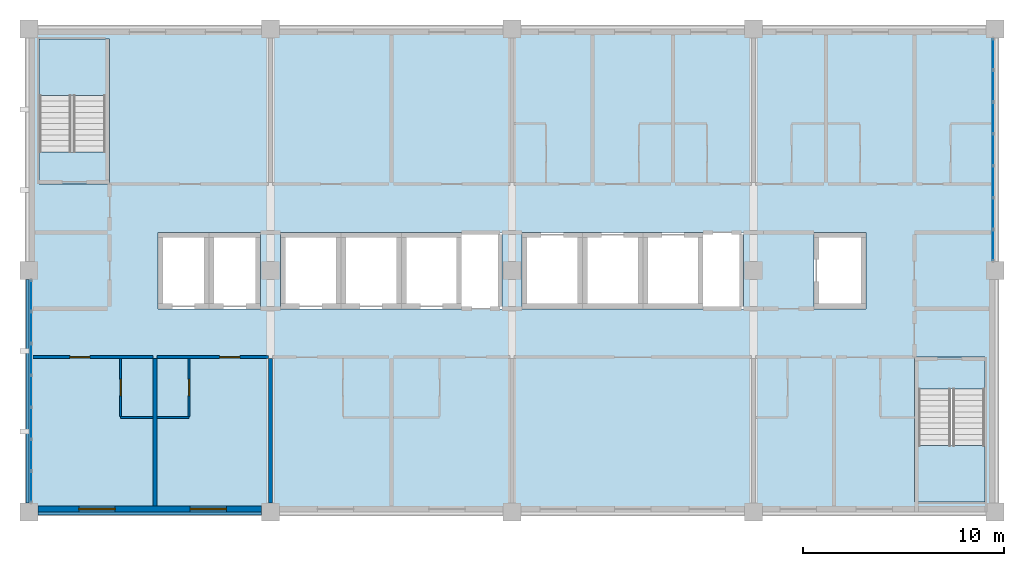
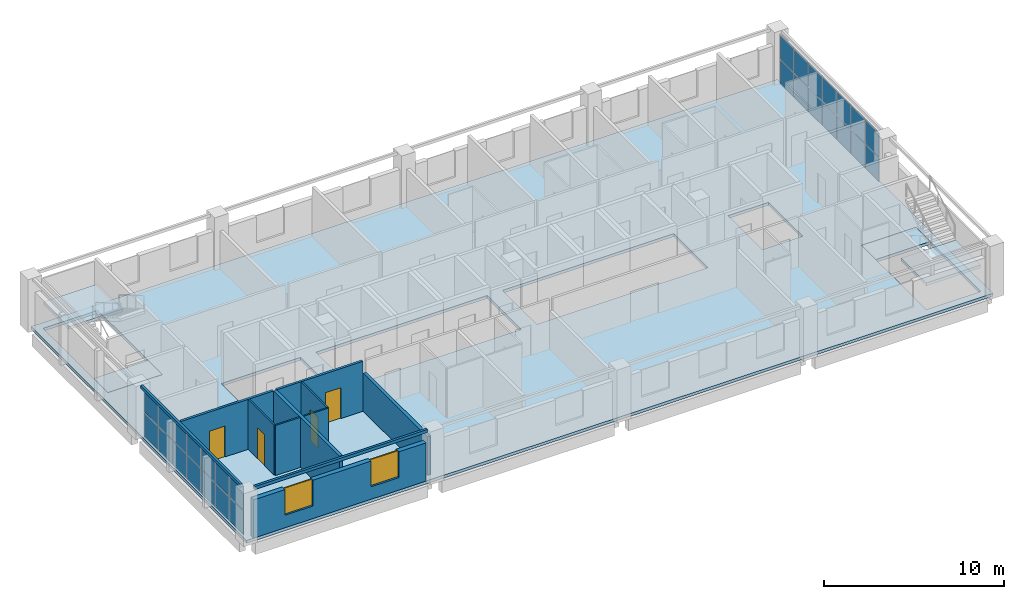
# One storey, part 5 of 11: 28 plates, 11 walls, 5 slabs, 4 doors, 2 windows, 6 openings, 4 elements without a shape of their own.
"""IFC4 building model written with IfcOpenShell, lengths in metres."""

from ifc_helpers import new_model, si_unit, direction, frame, frame_2d, origin, origin_2d, place, context, subcontext, project, spatial, polyline, rectangle, outline, extrude, material, layer, layer_set, type_object, element, fill, aggregate, save


model = new_model("IFC4")

# Units and contexts
model_context = context("Model", 3, precision=1e-05, world=origin(), true_north=direction((0.0, 1.0)))
body_context = subcontext(model_context, "Body", "Model", "MODEL_VIEW")
ifc_project = project(units=[si_unit("LENGTHUNIT", "METRE"), si_unit("AREAUNIT", "SQUARE_METRE"), si_unit("VOLUMEUNIT", "CUBIC_METRE"), si_unit("PLANEANGLEUNIT", "RADIAN"), si_unit("MASSUNIT", "GRAM", prefix="KILO")], contexts=[model_context])

# Site, building, storey
site_placement = place(None, origin())
site = spatial("IfcSite", under=ifc_project, at=site_placement, CompositionType="ELEMENT")
building_placement = place(site_placement, origin())
building = spatial("IfcBuilding", under=site, at=building_placement, Name="Lilac Gate Convention Centre", CompositionType="ELEMENT")
storey_placement = place(building_placement, frame((0.0, 0.0, 31.800048828125)))
storey = spatial("IfcBuildingStorey", under=building, at=storey_placement, Name="L07", CompositionType="ELEMENT", Elevation=31.800048828125)

# Curtain wall, plates
ifc_material_1 = material(Name="Aluminium framed double glazing", Category="aluminium")
ifc_layer_1 = layer(ifc_material_1, 0.199951171875)
ifc_layer_set_1 = layer_set([ifc_layer_1], Name="Aluminium framed double glazing")
curtain_wall_type = type_object("IfcCurtainWallType", Name="Unitised curtain wall 1500", PredefinedType="NOTDEFINED", material=ifc_layer_set_1)
curtain_wall_1_placement = place(storey_placement, origin())
curtain_wall_1 = element("IfcCurtainWall", 1, at=curtain_wall_1_placement, inside=storey, type_object=curtain_wall_type, Name="Curtain wall E L07 2", PredefinedType="NOTDEFINED")
ifc_material_2 = material(Name="Double glazed unit low emissivity")
ifc_layer_2 = layer(ifc_material_2, 0.028076171875)
ifc_layer_set_2 = layer_set([ifc_layer_2], Name="Double glazed unit low emissivity")
plate_type_1 = type_object("IfcPlateType", Name="Curtain wall glass panel 28", PredefinedType="CURTAIN_PANEL", material=ifc_layer_set_2)
plate_1_placement = place(storey_placement, frame((89.89990234375, 235.2578125, 1.72998046875), z_axis=(0.0, 0.0, 1.0), x_axis=(0.0, 1.0, 0.0)))
plate_1 = element("IfcPlate", 2, at=plate_1_placement, type_object=plate_type_1, Name="CW panel 1.2", PredefinedType="CURTAIN_PANEL", context=body_context, shape_type="SweptSolid", body=[
    extrude(rectangle(XDim=1.495849609375, YDim=0.028076171875, at=origin_2d()), origin(), (0.0, 0.0, 1.0), 1.60986328125),
])
plate_2_placement = place(storey_placement, frame((89.89990234375, 236.82861328125, 1.72998046875), z_axis=(0.0, 0.0, 1.0), x_axis=(0.0, 1.0, 0.0)))
plate_2 = element("IfcPlate", 3, at=plate_2_placement, type_object=plate_type_1, Name="CW panel 2.2", PredefinedType="CURTAIN_PANEL", context=body_context, shape_type="SweptSolid", body=[
    extrude(rectangle(XDim=1.525634765625, YDim=0.028076171875, at=origin_2d()), origin(), (0.0, 0.0, 1.0), 1.60986328125),
])
plate_3_placement = place(storey_placement, frame((89.89990234375, 238.414306640625, 1.72998046875), z_axis=(0.0, 0.0, 1.0), x_axis=(0.0, 1.0, 0.0)))
plate_3 = element("IfcPlate", 4, at=plate_3_placement, type_object=plate_type_1, Name="CW panel 3.2", PredefinedType="CURTAIN_PANEL", context=body_context, shape_type="SweptSolid", body=[
    extrude(rectangle(XDim=1.525634765625, YDim=0.028076171875, at=origin_2d()), origin(), (0.0, 0.0, 1.0), 1.60986328125),
])
plate_4_placement = place(storey_placement, frame((89.89990234375, 240.0, 1.72998046875), z_axis=(0.0, 0.0, 1.0), x_axis=(0.0, 1.0, 0.0)))
plate_4 = element("IfcPlate", 5, at=plate_4_placement, type_object=plate_type_1, Name="CW panel 4.2", PredefinedType="CURTAIN_PANEL", context=body_context, shape_type="SweptSolid", body=[
    extrude(rectangle(XDim=1.525634765625, YDim=0.028076171875, at=origin_2d()), origin(), (0.0, 0.0, 1.0), 1.60986328125),
])
plate_5_placement = place(storey_placement, frame((89.89990234375, 241.585693359375, 1.72998046875), z_axis=(0.0, 0.0, 1.0), x_axis=(0.0, 1.0, 0.0)))
plate_5 = element("IfcPlate", 6, at=plate_5_placement, type_object=plate_type_1, Name="CW panel 5.2", PredefinedType="CURTAIN_PANEL", context=body_context, shape_type="SweptSolid", body=[
    extrude(rectangle(XDim=1.525634765625, YDim=0.028076171875, at=origin_2d()), origin(), (0.0, 0.0, 1.0), 1.60986328125),
])
plate_6_placement = place(storey_placement, frame((89.89990234375, 243.17138671875, 1.72998046875), z_axis=(0.0, 0.0, 1.0), x_axis=(0.0, 1.0, 0.0)))
plate_6 = element("IfcPlate", 7, at=plate_6_placement, type_object=plate_type_1, Name="CW panel 6.2", PredefinedType="CURTAIN_PANEL", context=body_context, shape_type="SweptSolid", body=[
    extrude(rectangle(XDim=1.525634765625, YDim=0.028076171875, at=origin_2d()), origin(), (0.0, 0.0, 1.0), 1.60986328125),
])
plate_7_placement = place(storey_placement, frame((89.89990234375, 244.7421875, 1.72998046875), z_axis=(0.0, 0.0, 1.0), x_axis=(0.0, 1.0, 0.0)))
plate_7 = element("IfcPlate", 8, at=plate_7_placement, type_object=plate_type_1, Name="CW panel 7.2", PredefinedType="CURTAIN_PANEL", context=body_context, shape_type="SweptSolid", body=[
    extrude(rectangle(XDim=1.495849609375, YDim=0.028076171875, at=origin_2d()), origin(), (0.0, 0.0, 1.0), 1.60986328125),
])

curtain_wall_2_placement = place(storey_placement, origin())
curtain_wall_2 = element("IfcCurtainWall", 9, at=curtain_wall_2_placement, inside=storey, type_object=curtain_wall_type, Name="Curtain wall W L07 2", PredefinedType="NOTDEFINED")
plate_8_placement = place(storey_placement, frame((42.10009765625, 232.7421875, 1.72998046875), z_axis=(0.0, 0.0, 1.0), x_axis=(0.0, -1.0, 0.0)))
plate_8 = element("IfcPlate", 10, at=plate_8_placement, type_object=plate_type_1, Name="CW panel 1.2", PredefinedType="CURTAIN_PANEL", context=body_context, shape_type="SweptSolid", body=[
    extrude(rectangle(XDim=1.495849609375, YDim=0.028076171875, at=origin_2d()), origin(), (0.0, 0.0, 1.0), 1.60986328125),
])
plate_9_placement = place(storey_placement, frame((42.10009765625, 231.17138671875, 1.72998046875), z_axis=(0.0, 0.0, 1.0), x_axis=(0.0, -1.0, 0.0)))
plate_9 = element("IfcPlate", 11, at=plate_9_placement, type_object=plate_type_1, Name="CW panel 2.2", PredefinedType="CURTAIN_PANEL", context=body_context, shape_type="SweptSolid", body=[
    extrude(rectangle(XDim=1.525634765625, YDim=0.028076171875, at=origin_2d()), origin(), (0.0, 0.0, 1.0), 1.60986328125),
])
plate_10_placement = place(storey_placement, frame((42.10009765625, 229.585693359375, 1.72998046875), z_axis=(0.0, 0.0, 1.0), x_axis=(0.0, -1.0, 0.0)))
plate_10 = element("IfcPlate", 12, at=plate_10_placement, type_object=plate_type_1, Name="CW panel 3.2", PredefinedType="CURTAIN_PANEL", context=body_context, shape_type="SweptSolid", body=[
    extrude(rectangle(XDim=1.525634765625, YDim=0.028076171875, at=origin_2d()), origin(), (0.0, 0.0, 1.0), 1.60986328125),
])
plate_11_placement = place(storey_placement, frame((42.10009765625, 228.0, 1.72998046875), z_axis=(0.0, 0.0, 1.0), x_axis=(0.0, -1.0, 0.0)))
plate_11 = element("IfcPlate", 13, at=plate_11_placement, type_object=plate_type_1, Name="CW panel 4.2", PredefinedType="CURTAIN_PANEL", context=body_context, shape_type="SweptSolid", body=[
    extrude(rectangle(XDim=1.525634765625, YDim=0.028076171875, at=origin_2d()), origin(), (0.0, 0.0, 1.0), 1.60986328125),
])
plate_12_placement = place(storey_placement, frame((42.10009765625, 226.414306640625, 1.72998046875), z_axis=(0.0, 0.0, 1.0), x_axis=(0.0, -1.0, 0.0)))
plate_12 = element("IfcPlate", 14, at=plate_12_placement, type_object=plate_type_1, Name="CW panel 5.2", PredefinedType="CURTAIN_PANEL", context=body_context, shape_type="SweptSolid", body=[
    extrude(rectangle(XDim=1.525634765625, YDim=0.028076171875, at=origin_2d()), origin(), (0.0, 0.0, 1.0), 1.60986328125),
])
plate_13_placement = place(storey_placement, frame((42.10009765625, 224.82861328125, 1.72998046875), z_axis=(0.0, 0.0, 1.0), x_axis=(0.0, -1.0, 0.0)))
plate_13 = element("IfcPlate", 15, at=plate_13_placement, type_object=plate_type_1, Name="CW panel 6.2", PredefinedType="CURTAIN_PANEL", context=body_context, shape_type="SweptSolid", body=[
    extrude(rectangle(XDim=1.525634765625, YDim=0.028076171875, at=origin_2d()), origin(), (0.0, 0.0, 1.0), 1.60986328125),
])
plate_14_placement = place(storey_placement, frame((42.10009765625, 223.2578125, 1.72998046875), z_axis=(0.0, 0.0, 1.0), x_axis=(0.0, -1.0, 0.0)))
plate_14 = element("IfcPlate", 16, at=plate_14_placement, type_object=plate_type_1, Name="CW panel 7.2", PredefinedType="CURTAIN_PANEL", context=body_context, shape_type="SweptSolid", body=[
    extrude(rectangle(XDim=1.495849609375, YDim=0.028076171875, at=origin_2d()), origin(), (0.0, 0.0, 1.0), 1.60986328125),
])

# Plate
ifc_material_3 = material(Name="Insulated aluminium spandrel panel", Category="aluminium")
ifc_layer_3 = layer(ifc_material_3, 0.028076171875)
ifc_layer_set_3 = layer_set([ifc_layer_3], Name="Insulated aluminium spandrel panel")
plate_type_2 = type_object("IfcPlateType", Name="Curtain wall spandrel panel 28", PredefinedType="CURTAIN_PANEL", material=ifc_layer_set_3)
plate_15_placement = place(storey_placement, frame((89.89990234375, 235.2578125, 0.06005859375), z_axis=(0.0, 0.0, 1.0), x_axis=(0.0, 1.0, 0.0)))
plate_15 = element("IfcPlate", 17, at=plate_15_placement, type_object=plate_type_2, Name="CW spandrel 1.1", PredefinedType="CURTAIN_PANEL", context=body_context, shape_type="SweptSolid", body=[
    extrude(rectangle(XDim=1.495849609375, YDim=0.028076171875, at=origin_2d()), origin(), (0.0, 0.0, 1.0), 1.60986328125),
])

plate_16_placement = place(storey_placement, frame((89.89990234375, 236.82861328125, 0.06005859375), z_axis=(0.0, 0.0, 1.0), x_axis=(0.0, 1.0, 0.0)))
plate_16 = element("IfcPlate", 18, at=plate_16_placement, type_object=plate_type_2, Name="CW spandrel 2.1", PredefinedType="CURTAIN_PANEL", context=body_context, shape_type="SweptSolid", body=[
    extrude(rectangle(XDim=1.525634765625, YDim=0.028076171875, at=origin_2d()), origin(), (0.0, 0.0, 1.0), 1.60986328125),
])

plate_17_placement = place(storey_placement, frame((89.89990234375, 238.414306640625, 0.06005859375), z_axis=(0.0, 0.0, 1.0), x_axis=(0.0, 1.0, 0.0)))
plate_17 = element("IfcPlate", 19, at=plate_17_placement, type_object=plate_type_2, Name="CW spandrel 3.1", PredefinedType="CURTAIN_PANEL", context=body_context, shape_type="SweptSolid", body=[
    extrude(rectangle(XDim=1.525634765625, YDim=0.028076171875, at=origin_2d()), origin(), (0.0, 0.0, 1.0), 1.60986328125),
])

plate_18_placement = place(storey_placement, frame((89.89990234375, 240.0, 0.06005859375), z_axis=(0.0, 0.0, 1.0), x_axis=(0.0, 1.0, 0.0)))
plate_18 = element("IfcPlate", 20, at=plate_18_placement, type_object=plate_type_2, Name="CW spandrel 4.1", PredefinedType="CURTAIN_PANEL", context=body_context, shape_type="SweptSolid", body=[
    extrude(rectangle(XDim=1.525634765625, YDim=0.028076171875, at=origin_2d()), origin(), (0.0, 0.0, 1.0), 1.60986328125),
])

plate_19_placement = place(storey_placement, frame((89.89990234375, 241.585693359375, 0.06005859375), z_axis=(0.0, 0.0, 1.0), x_axis=(0.0, 1.0, 0.0)))
plate_19 = element("IfcPlate", 21, at=plate_19_placement, type_object=plate_type_2, Name="CW spandrel 5.1", PredefinedType="CURTAIN_PANEL", context=body_context, shape_type="SweptSolid", body=[
    extrude(rectangle(XDim=1.525634765625, YDim=0.028076171875, at=origin_2d()), origin(), (0.0, 0.0, 1.0), 1.60986328125),
])

plate_20_placement = place(storey_placement, frame((89.89990234375, 243.17138671875, 0.06005859375), z_axis=(0.0, 0.0, 1.0), x_axis=(0.0, 1.0, 0.0)))
plate_20 = element("IfcPlate", 22, at=plate_20_placement, type_object=plate_type_2, Name="CW spandrel 6.1", PredefinedType="CURTAIN_PANEL", context=body_context, shape_type="SweptSolid", body=[
    extrude(rectangle(XDim=1.525634765625, YDim=0.028076171875, at=origin_2d()), origin(), (0.0, 0.0, 1.0), 1.60986328125),
])

plate_21_placement = place(storey_placement, frame((89.89990234375, 244.7421875, 0.06005859375), z_axis=(0.0, 0.0, 1.0), x_axis=(0.0, 1.0, 0.0)))
plate_21 = element("IfcPlate", 23, at=plate_21_placement, type_object=plate_type_2, Name="CW spandrel 7.1", PredefinedType="CURTAIN_PANEL", context=body_context, shape_type="SweptSolid", body=[
    extrude(rectangle(XDim=1.495849609375, YDim=0.028076171875, at=origin_2d()), origin(), (0.0, 0.0, 1.0), 1.60986328125),
])

aggregate(curtain_wall_1, [plate_15, plate_1, plate_16, plate_2, plate_17, plate_3, plate_18, plate_4, plate_19, plate_5, plate_20, plate_6, plate_21, plate_7])

plate_22_placement = place(storey_placement, frame((42.10009765625, 232.7421875, 0.06005859375), z_axis=(0.0, 0.0, 1.0), x_axis=(0.0, -1.0, 0.0)))
plate_22 = element("IfcPlate", 24, at=plate_22_placement, type_object=plate_type_2, Name="CW spandrel 1.1", PredefinedType="CURTAIN_PANEL", context=body_context, shape_type="SweptSolid", body=[
    extrude(rectangle(XDim=1.495849609375, YDim=0.028076171875, at=origin_2d()), origin(), (0.0, 0.0, 1.0), 1.60986328125),
])

plate_23_placement = place(storey_placement, frame((42.10009765625, 231.17138671875, 0.06005859375), z_axis=(0.0, 0.0, 1.0), x_axis=(0.0, -1.0, 0.0)))
plate_23 = element("IfcPlate", 25, at=plate_23_placement, type_object=plate_type_2, Name="CW spandrel 2.1", PredefinedType="CURTAIN_PANEL", context=body_context, shape_type="SweptSolid", body=[
    extrude(rectangle(XDim=1.525634765625, YDim=0.028076171875, at=origin_2d()), origin(), (0.0, 0.0, 1.0), 1.60986328125),
])

plate_24_placement = place(storey_placement, frame((42.10009765625, 229.585693359375, 0.06005859375), z_axis=(0.0, 0.0, 1.0), x_axis=(0.0, -1.0, 0.0)))
plate_24 = element("IfcPlate", 26, at=plate_24_placement, type_object=plate_type_2, Name="CW spandrel 3.1", PredefinedType="CURTAIN_PANEL", context=body_context, shape_type="SweptSolid", body=[
    extrude(rectangle(XDim=1.525634765625, YDim=0.028076171875, at=origin_2d()), origin(), (0.0, 0.0, 1.0), 1.60986328125),
])

plate_25_placement = place(storey_placement, frame((42.10009765625, 228.0, 0.06005859375), z_axis=(0.0, 0.0, 1.0), x_axis=(0.0, -1.0, 0.0)))
plate_25 = element("IfcPlate", 27, at=plate_25_placement, type_object=plate_type_2, Name="CW spandrel 4.1", PredefinedType="CURTAIN_PANEL", context=body_context, shape_type="SweptSolid", body=[
    extrude(rectangle(XDim=1.525634765625, YDim=0.028076171875, at=origin_2d()), origin(), (0.0, 0.0, 1.0), 1.60986328125),
])

plate_26_placement = place(storey_placement, frame((42.10009765625, 226.414306640625, 0.06005859375), z_axis=(0.0, 0.0, 1.0), x_axis=(0.0, -1.0, 0.0)))
plate_26 = element("IfcPlate", 28, at=plate_26_placement, type_object=plate_type_2, Name="CW spandrel 5.1", PredefinedType="CURTAIN_PANEL", context=body_context, shape_type="SweptSolid", body=[
    extrude(rectangle(XDim=1.525634765625, YDim=0.028076171875, at=origin_2d()), origin(), (0.0, 0.0, 1.0), 1.60986328125),
])

plate_27_placement = place(storey_placement, frame((42.10009765625, 224.82861328125, 0.06005859375), z_axis=(0.0, 0.0, 1.0), x_axis=(0.0, -1.0, 0.0)))
plate_27 = element("IfcPlate", 29, at=plate_27_placement, type_object=plate_type_2, Name="CW spandrel 6.1", PredefinedType="CURTAIN_PANEL", context=body_context, shape_type="SweptSolid", body=[
    extrude(rectangle(XDim=1.525634765625, YDim=0.028076171875, at=origin_2d()), origin(), (0.0, 0.0, 1.0), 1.60986328125),
])

plate_28_placement = place(storey_placement, frame((42.10009765625, 223.2578125, 0.06005859375), z_axis=(0.0, 0.0, 1.0), x_axis=(0.0, -1.0, 0.0)))
plate_28 = element("IfcPlate", 30, at=plate_28_placement, type_object=plate_type_2, Name="CW spandrel 7.1", PredefinedType="CURTAIN_PANEL", context=body_context, shape_type="SweptSolid", body=[
    extrude(rectangle(XDim=1.495849609375, YDim=0.028076171875, at=origin_2d()), origin(), (0.0, 0.0, 1.0), 1.60986328125),
])

aggregate(curtain_wall_2, [plate_22, plate_8, plate_23, plate_9, plate_24, plate_10, plate_25, plate_11, plate_26, plate_12, plate_27, plate_13, plate_28, plate_14])

# Stair, slabs
ifc_material_4 = material(Name="Concrete C40", Category="concrete")
stair_type = type_object("IfcStairType", Name="Exit stair", PredefinedType="DOUBLE_RETURN_STAIR", material=ifc_material_4)
stair_1_placement = place(storey_placement, origin())
stair_1 = element("IfcStair", 31, at=stair_1_placement, inside=storey, type_object=stair_type, Name="Exit stair NW L07", PredefinedType="DOUBLE_RETURN_STAIR")
ifc_layer_4 = layer(ifc_material_4, 0.199951171875)
ifc_layer_set_4 = layer_set([ifc_layer_4], Name="Concrete C40")
slab_type_1 = type_object("IfcSlabType", Name="Exit stair landing", PredefinedType="LANDING", material=ifc_layer_set_4)
slab_1_placement = place(storey_placement, frame((0.0, 0.0, -0.199951171875)))
slab_1 = element("IfcSlab", 32, at=slab_1_placement, type_object=slab_type_1, Name="ST-NW landing 1", PredefinedType="LANDING", context=body_context, shape_type="SweptSolid", body=[
    extrude(outline(polyline([(42.5, 238.300048828125), (46.0, 238.300048828125), (46.0, 239.89990234375), (42.5, 239.89990234375), (42.5, 238.300048828125)])), origin(), (0.0, 0.0, 1.0), 0.199951171875),
])
slab_2_placement = place(storey_placement, frame((0.0, 0.0, 1.599853515625)))
slab_2 = element("IfcSlab", 33, at=slab_2_placement, type_object=slab_type_1, Name="ST-NW landing 2", PredefinedType="LANDING", context=body_context, shape_type="SweptSolid", body=[
    extrude(outline(polyline([(42.5, 242.699951171875), (46.0, 242.699951171875), (46.0, 245.5), (42.5, 245.5), (42.5, 242.699951171875)])), origin(), (0.0, 0.0, 1.0), 0.2001953125),
])
aggregate(stair_1, [slab_1, slab_2])

stair_2_placement = place(storey_placement, origin())
stair_2 = element("IfcStair", 34, at=stair_2_placement, inside=storey, type_object=stair_type, Name="Exit stair SE L07", PredefinedType="DOUBLE_RETURN_STAIR")
slab_3_placement = place(storey_placement, frame((0.0, 0.0, -0.199951171875)))
slab_3 = element("IfcSlab", 35, at=slab_3_placement, type_object=slab_type_1, Name="ST-SE landing 1", PredefinedType="LANDING", context=body_context, shape_type="SweptSolid", body=[
    extrude(outline(polyline([(86.0, 228.10009765625), (89.5, 228.10009765625), (89.5, 229.699951171875), (86.0, 229.699951171875), (86.0, 228.10009765625)])), origin(), (0.0, 0.0, 1.0), 0.199951171875),
])
slab_4_placement = place(storey_placement, frame((0.0, 0.0, 1.599853515625)))
slab_4 = element("IfcSlab", 36, at=slab_4_placement, type_object=slab_type_1, Name="ST-SE landing 2", PredefinedType="LANDING", context=body_context, shape_type="SweptSolid", body=[
    extrude(outline(polyline([(86.0, 222.5), (89.5, 222.5), (89.5, 225.300048828125), (86.0, 225.300048828125), (86.0, 222.5)])), origin(), (0.0, 0.0, 1.0), 0.2001953125),
])
aggregate(stair_2, [slab_3, slab_4])

# Slab
ifc_layer_5 = layer(ifc_material_4, 0.199951171875)
ifc_layer_set_5 = layer_set([ifc_layer_5], Name="Concrete C40")
slab_type_2 = type_object("IfcSlabType", Name="Floor slab 200 C40", PredefinedType="FLOOR", material=ifc_layer_set_5)
slab_5_placement = place(storey_placement, frame((0.0, 0.0, -0.199951171875)))
element("IfcSlab", 37, at=slab_5_placement, inside=storey, type_object=slab_type_2, Name="FS3 slab L07 1", PredefinedType="FLOOR", context=body_context, shape_type="SweptSolid", body=[
    extrude(outline(polyline([(42.0, 222.0), (42.0, 246.0), (90.0, 246.0), (90.0, 222.0), (42.0, 222.0)]), holes=[polyline([(48.39990234375, 235.89990234375), (48.39990234375, 232.10009765625), (50.949951171875, 232.10009765625), (53.5, 232.10009765625), (53.5, 235.89990234375), (50.949951171875, 235.89990234375), (48.39990234375, 235.89990234375)]), polyline([(57.5, 235.89990234375), (54.5, 235.89990234375), (54.5, 232.10009765625), (57.5, 232.10009765625), (60.5, 232.10009765625), (63.5, 232.10009765625), (65.5, 232.10009765625), (65.5, 235.89990234375), (63.5, 235.89990234375), (60.5, 235.89990234375), (57.5, 235.89990234375)]), polyline([(42.5, 245.5), (42.5, 238.300048828125), (46.0, 238.300048828125), (46.0, 245.5), (42.5, 245.5)]), polyline([(89.5, 229.699951171875), (86.0, 229.699951171875), (86.0, 222.5), (89.5, 222.5), (89.5, 229.699951171875)]), polyline([(69.5, 235.89990234375), (66.5, 235.89990234375), (66.5, 232.10009765625), (69.5, 232.10009765625), (72.5, 232.10009765625), (75.5, 232.10009765625), (77.5, 232.10009765625), (77.5, 235.89990234375), (75.5, 235.89990234375), (72.5, 235.89990234375), (69.5, 235.89990234375)]), polyline([(83.60009765625, 235.89990234375), (81.0, 235.89990234375), (81.0, 232.10009765625), (83.60009765625, 232.10009765625), (83.60009765625, 235.89990234375)])]), origin(), (0.0, 0.0, 1.0), 0.199951171875),
])

# Wall, opening, door
ifc_material_5 = material(Name="Gypsum board on steel stud", Category="steel")
ifc_layer_6 = layer(ifc_material_5, 0.14990234375)
ifc_layer_set_6 = layer_set([ifc_layer_6], Name="Gypsum board on steel stud")
wall_type_1 = type_object("IfcWallType", Name="Corridor wall 150", PredefinedType="PARTITIONING", material=ifc_layer_set_6)
wall_1_placement = place(storey_placement, frame((48.14990234375, 229.699951171875, 0.0), z_axis=(0.0, 0.0, 1.0), x_axis=(-1.0, 0.0, 0.0)))
wall_1 = element("IfcWall", 38, at=wall_1_placement, inside=storey, type_object=wall_type_1, Name="Corridor wall 150 front 0701", PredefinedType="PARTITIONING", context=body_context, shape_type="SweptSolid", body=[
    extrude(rectangle(XDim=5.94970703125, YDim=0.14990234375, at=frame_2d((2.974853515625, 0.0))), origin(), (0.0, 0.0, 1.0), 3.39990234375),
])
opening_1_placement = place(wall_1_placement, frame((3.125, 0.0, 0.0)))
opening_1 = element("IfcOpeningElement", 39, at=opening_1_placement, cuts=wall_1, Name="Opening T07-008", PredefinedType="OPENING", context=body_context, shape_type="SweptSolid", body=[
    extrude(rectangle(XDim=1.0, YDim=2.10009765625, at=frame_2d((0.5, 1.050048828125))), frame((0.0, 0.0849609375, 0.0), z_axis=(0.0, -1.0, 0.0), x_axis=(1.0, 0.0, 0.0)), (0.0, 0.0, 1.0), 0.169921875),
])
ifc_material_6 = material(Name="Timber", Category="wood")
door_type_1 = type_object("IfcDoorType", Name="Guest room entrance door 1000", OperationType="SINGLE_SWING_LEFT", PredefinedType="DOOR", material=ifc_material_6)
door_1_placement = place(opening_1_placement, origin())
door_1 = element("IfcDoor", 40, at=door_1_placement, inside=storey, type_object=door_type_1, Name="Guest room door 0701", OperationType="SINGLE_SWING_LEFT", OverallHeight=2.10009765625, OverallWidth=1.0, PredefinedType="DOOR", context=body_context, shape_type="SweptSolid", body=[
    extrude(rectangle(XDim=1.0, YDim=2.10009765625, at=frame_2d((0.5, 1.050048828125))), frame((0.0, 0.02490234375, 0.0), z_axis=(0.0, -1.0, 0.0), x_axis=(1.0, 0.0, 0.0)), (0.0, 0.0, 1.0), 0.050048828125),
])
fill(opening_1, door_1)

wall_2_placement = place(storey_placement, frame((53.89990234375, 229.699951171875, 0.0), z_axis=(0.0, 0.0, 1.0), x_axis=(-1.0, 0.0, 0.0)))
wall_2 = element("IfcWall", 41, at=wall_2_placement, inside=storey, type_object=wall_type_1, Name="Corridor wall 150 front 0702", PredefinedType="PARTITIONING", context=body_context, shape_type="SweptSolid", body=[
    extrude(rectangle(XDim=5.5498046875, YDim=0.14990234375, at=frame_2d((2.77490234375, 0.0))), origin(), (0.0, 0.0, 1.0), 3.39990234375),
])
opening_2_placement = place(wall_2_placement, frame((1.425048828125, 0.0, 0.0)))
opening_2 = element("IfcOpeningElement", 42, at=opening_2_placement, cuts=wall_2, Name="Opening T07-010", PredefinedType="OPENING", context=body_context, shape_type="SweptSolid", body=[
    extrude(rectangle(XDim=1.0, YDim=2.10009765625, at=frame_2d((0.5, 1.050048828125))), frame((0.0, 0.0849609375, 0.0), z_axis=(0.0, -1.0, 0.0), x_axis=(1.0, 0.0, 0.0)), (0.0, 0.0, 1.0), 0.169921875),
])
door_2_placement = place(opening_2_placement, origin())
door_2 = element("IfcDoor", 43, at=door_2_placement, inside=storey, type_object=door_type_1, Name="Guest room door 0702", OperationType="SINGLE_SWING_LEFT", OverallHeight=2.10009765625, OverallWidth=1.0, PredefinedType="DOOR", context=body_context, shape_type="SweptSolid", body=[
    extrude(rectangle(XDim=1.0, YDim=2.10009765625, at=frame_2d((0.5, 1.050048828125))), frame((0.0, 0.02490234375, 0.0), z_axis=(0.0, -1.0, 0.0), x_axis=(1.0, 0.0, 0.0)), (0.0, 0.0, 1.0), 0.050048828125),
])
fill(opening_2, door_2)

# Wall
ifc_layer_7 = layer(ifc_material_5, 0.10009765625)
ifc_layer_set_7 = layer_set([ifc_layer_7], Name="Gypsum board on steel stud")
wall_type_2 = type_object("IfcWallType", Name="En-suite wall 100", PredefinedType="PARTITIONING", material=ifc_layer_set_7)
wall_3_placement = place(storey_placement, frame((46.550048828125, 226.699951171875, 0.0), z_axis=(0.0, 0.0, 1.0), x_axis=(1.0, 0.0, 0.0)))
element("IfcWall", 44, at=wall_3_placement, inside=storey, type_object=wall_type_2, Name="En-suite wall 100 bath 0701", PredefinedType="PARTITIONING", context=body_context, shape_type="SweptSolid", body=[
    extrude(rectangle(XDim=1.599853515625, YDim=0.10009765625, at=frame_2d((0.7998046875, 0.0))), origin(), (0.0, 0.0, 1.0), 3.39990234375),
])

# Wall, opening, door
wall_4_placement = place(storey_placement, frame((46.550048828125, 226.75, 0.0), z_axis=(0.0, 0.0, 1.0), x_axis=(0.0, 1.0, 0.0)))
wall_4 = element("IfcWall", 45, at=wall_4_placement, inside=storey, type_object=wall_type_2, Name="En-suite wall 100 bath side 0701", PredefinedType="PARTITIONING", context=body_context, shape_type="SweptSolid", body=[
    extrude(rectangle(XDim=2.875, YDim=0.10009765625, at=frame_2d((1.4375, 0.0))), origin(), (0.0, 0.0, 1.0), 3.39990234375),
])
opening_3_placement = place(wall_4_placement, frame((1.03759765625, 0.0, 0.0)))
opening_3 = element("IfcOpeningElement", 46, at=opening_3_placement, cuts=wall_4, Name="Opening T07-009", PredefinedType="OPENING", context=body_context, shape_type="SweptSolid", body=[
    extrude(rectangle(XDim=0.800048828125, YDim=2.10009765625, at=frame_2d((0.39990234375, 1.050048828125))), frame((0.0, 0.06005859375, 0.0), z_axis=(0.0, -1.0, 0.0), x_axis=(1.0, 0.0, 0.0)), (0.0, 0.0, 1.0), 0.1201171875),
])
door_type_2 = type_object("IfcDoorType", Name="En-suite door 800", OperationType="SINGLE_SWING_LEFT", PredefinedType="DOOR", material=ifc_material_6)
door_3_placement = place(opening_3_placement, origin())
door_3 = element("IfcDoor", 47, at=door_3_placement, inside=storey, type_object=door_type_2, Name="En-suite door 0701", OperationType="SINGLE_SWING_RIGHT", OverallHeight=2.10009765625, OverallWidth=0.800048828125, PredefinedType="DOOR", context=body_context, shape_type="SweptSolid", body=[
    extrude(rectangle(XDim=0.800048828125, YDim=2.10009765625, at=frame_2d((0.39990234375, 1.050048828125))), frame((0.0, 0.02490234375, 0.0), z_axis=(0.0, -1.0, 0.0), x_axis=(1.0, 0.0, 0.0)), (0.0, 0.0, 1.0), 0.050048828125),
])
fill(opening_3, door_3)

# Wall
wall_5_placement = place(storey_placement, frame((48.35009765625, 226.699951171875, 0.0), z_axis=(0.0, 0.0, 1.0), x_axis=(1.0, 0.0, 0.0)))
element("IfcWall", 48, at=wall_5_placement, inside=storey, type_object=wall_type_2, Name="En-suite wall 100 bath 0702", PredefinedType="PARTITIONING", context=body_context, shape_type="SweptSolid", body=[
    extrude(rectangle(XDim=1.599853515625, YDim=0.10009765625, at=frame_2d((0.7998046875, 0.0))), origin(), (0.0, 0.0, 1.0), 3.39990234375),
])

# Wall, opening, door
wall_6_placement = place(storey_placement, frame((49.949951171875, 229.625, 0.0), z_axis=(0.0, 0.0, 1.0), x_axis=(0.0, -1.0, 0.0)))
wall_6 = element("IfcWall", 49, at=wall_6_placement, inside=storey, type_object=wall_type_2, Name="En-suite wall 100 bath side 0702", PredefinedType="PARTITIONING", context=body_context, shape_type="SweptSolid", body=[
    extrude(rectangle(XDim=2.875, YDim=0.10009765625, at=frame_2d((1.4375, 0.0))), origin(), (0.0, 0.0, 1.0), 3.39990234375),
])
opening_4_placement = place(wall_6_placement, frame((1.03759765625, 0.0, 0.0)))
opening_4 = element("IfcOpeningElement", 50, at=opening_4_placement, cuts=wall_6, Name="Opening T07-011", PredefinedType="OPENING", context=body_context, shape_type="SweptSolid", body=[
    extrude(rectangle(XDim=0.800048828125, YDim=2.10009765625, at=frame_2d((0.39990234375, 1.050048828125))), frame((0.0, 0.06005859375, 0.0), z_axis=(0.0, -1.0, 0.0), x_axis=(1.0, 0.0, 0.0)), (0.0, 0.0, 1.0), 0.1201171875),
])
door_4_placement = place(opening_4_placement, origin())
door_4 = element("IfcDoor", 51, at=door_4_placement, inside=storey, type_object=door_type_2, Name="En-suite door 0702", OperationType="SINGLE_SWING_LEFT", OverallHeight=2.10009765625, OverallWidth=0.800048828125, PredefinedType="DOOR", context=body_context, shape_type="SweptSolid", body=[
    extrude(rectangle(XDim=0.800048828125, YDim=2.10009765625, at=frame_2d((0.39990234375, 1.050048828125))), frame((0.0, 0.02490234375, 0.0), z_axis=(0.0, -1.0, 0.0), x_axis=(1.0, 0.0, 0.0)), (0.0, 0.0, 1.0), 0.050048828125),
])
fill(opening_4, door_4)

# Walls
ifc_layer_8 = layer(ifc_material_5, 0.199951171875)
ifc_layer_set_8 = layer_set([ifc_layer_8], Name="Gypsum board on steel stud")
wall_type_3 = type_object("IfcWallType", Name="Guest room party wall 200", PredefinedType="PARTITIONING", material=ifc_layer_set_8)
wall_7_placement = place(storey_placement, frame((48.25, 222.2998046875, 0.0), z_axis=(0.0, 0.0, 1.0), x_axis=(0.0, 1.0, 0.0)))
element("IfcWall", 52, at=wall_7_placement, inside=storey, type_object=wall_type_3, Name="Guest room party wall 200 party 48.25", PredefinedType="PARTITIONING", context=body_context, shape_type="SweptSolid", body=[
    extrude(rectangle(XDim=7.3251953125, YDim=0.199951171875, at=frame_2d((3.66259765625, 0.0))), origin(), (0.0, 0.0, 1.0), 3.39990234375),
])
wall_8_placement = place(storey_placement, frame((54.0, 222.449951171875, 0.0), z_axis=(0.0, 0.0, 1.0), x_axis=(0.0, 1.0, 0.0)))
element("IfcWall", 53, at=wall_8_placement, inside=storey, type_object=wall_type_3, Name="Guest room party wall 200 party 54.0", PredefinedType="PARTITIONING", context=body_context, shape_type="SweptSolid", body=[
    extrude(rectangle(XDim=7.175048828125, YDim=0.199951171875, at=frame_2d((3.58740234375, 0.0))), origin(), (0.0, 0.0, 1.0), 2.599853515625),
])
ifc_material_7 = material(Name="Concrete C40 precast", Category="concrete")
ifc_layer_9 = layer(ifc_material_7, 0.1298828125)
ifc_material_8 = material(Name="Terracotta glazed cladding", Category="masonry")
ifc_layer_10 = layer(ifc_material_8, 0.02001953125)
ifc_layer_set_9 = layer_set([ifc_layer_9, ifc_layer_10], Name="Concrete C40 precast, Terracotta glazed cladding")
wall_type_4 = type_object("IfcWallType", Name="Precast band terracotta 150", PredefinedType="STANDARD", material=ifc_layer_set_9)
for number, where, z_axis, x_axis, name in (
    (54, (42.449951171875, 221.925048828125, 3.39990234375), (0.0, 0.0, 1.0), (1.0, 0.0, 0.0), "Precast band S L07 1"),
    (55, (41.925048828125, 233.550048828125, 3.39990234375), (0.0, 0.0, 1.0), (0.0, -1.0, 0.0), "Precast band W L07 2"),
):
    element("IfcWall", number, at=place(storey_placement, frame(where, z_axis=z_axis, x_axis=x_axis)), inside=storey, type_object=wall_type_4, Name=name, PredefinedType="STANDARD", context=body_context, shape_type="SweptSolid", body=[
        extrude(rectangle(XDim=11.10009765625, YDim=0.14990234375, at=frame_2d((5.550048828125, 0.0))), origin(), (0.0, 0.0, 1.0), 0.199951171875),
    ])

# Wall, openings, windows
ifc_layer_11 = layer(ifc_material_8, 0.02001953125)
ifc_layer_12 = layer(ifc_material_7, 0.06005859375)
ifc_material_9 = material(Name="Ventilated air cavity")
ifc_layer_13 = layer(ifc_material_9, 0.030029296875)
ifc_material_10 = material(Name="Mineral wool insulation")
ifc_layer_14 = layer(ifc_material_10, 0.1201171875)
ifc_material_11 = material(Name="Steel stud Q345 and gypsum lining", Category="steel")
ifc_layer_15 = layer(ifc_material_11, 0.070068359375)
ifc_layer_set_10 = layer_set([ifc_layer_11, ifc_layer_12, ifc_layer_13, ifc_layer_14, ifc_layer_15], Name="Terracotta glazed cladding, Concrete C40 precast, Ventilated air cavity, Mineral wool insulation, Steel stud Q345 and gypsum lining")
wall_type_5 = type_object("IfcWallType", Name="Precast panel wall terracotta 300", PredefinedType="STANDARD", material=ifc_layer_set_10)
wall_9_placement = place(storey_placement, frame((42.449951171875, 222.14990234375, 0.0), z_axis=(0.0, 0.0, 1.0), x_axis=(1.0, 0.0, 0.0)))
wall_9 = element("IfcWall", 56, at=wall_9_placement, inside=storey, type_object=wall_type_5, Name="External wall S L07 1", PredefinedType="STANDARD", context=body_context, shape_type="SweptSolid", body=[
    extrude(rectangle(XDim=11.10009765625, YDim=0.300048828125, at=frame_2d((5.550048828125, 0.0))), origin(), (0.0, 0.0, 1.0), 2.599853515625),
])
opening_5_placement = place(wall_9_placement, frame((2.02490234375, 0.0, 0.85009765625)))
opening_5 = element("IfcOpeningElement", 57, at=opening_5_placement, cuts=wall_9, Name="Opening W1", PredefinedType="OPENING", context=body_context, shape_type="SweptSolid", body=[
    extrude(rectangle(XDim=1.800048828125, YDim=1.75, at=frame_2d((0.89990234375, 0.875))), frame((0.0, 0.159912109375, 0.0), z_axis=(0.0, -1.0, 0.0), x_axis=(1.0, 0.0, 0.0)), (0.0, 0.0, 1.0), 0.320068359375),
])
opening_6_placement = place(wall_9_placement, frame((7.550048828125, 0.0, 0.85009765625)))
opening_6 = element("IfcOpeningElement", 58, at=opening_6_placement, cuts=wall_9, Name="Opening W1", PredefinedType="OPENING", context=body_context, shape_type="SweptSolid", body=[
    extrude(rectangle(XDim=1.800048828125, YDim=1.75, at=frame_2d((0.89990234375, 0.875))), frame((0.0, 0.159912109375, 0.0), z_axis=(0.0, -1.0, 0.0), x_axis=(1.0, 0.0, 0.0)), (0.0, 0.0, 1.0), 0.320068359375),
])
window_type = type_object("IfcWindowType", Name="Guest room window 1800 x 1750", PartitioningType="DOUBLE_PANEL_VERTICAL", PredefinedType="WINDOW", material=ifc_material_1)
window_1_placement = place(opening_5_placement, origin())
window_1 = element("IfcWindow", 59, at=window_1_placement, inside=storey, type_object=window_type, Name="Window Guest S L07", OverallHeight=1.75, OverallWidth=1.800048828125, PartitioningType="SINGLE_PANEL", PredefinedType="WINDOW", context=body_context, shape_type="SweptSolid", body=[
    extrude(rectangle(XDim=1.800048828125, YDim=1.75, at=frame_2d((0.89990234375, 0.875))), frame((0.0, 0.030029296875, 0.0), z_axis=(0.0, -1.0, 0.0), x_axis=(1.0, 0.0, 0.0)), (0.0, 0.0, 1.0), 0.06005859375),
])
fill(opening_5, window_1)
window_2_placement = place(opening_6_placement, origin())
window_2 = element("IfcWindow", 60, at=window_2_placement, inside=storey, type_object=window_type, Name="Window Guest S L07", OverallHeight=1.75, OverallWidth=1.800048828125, PartitioningType="SINGLE_PANEL", PredefinedType="WINDOW", context=body_context, shape_type="SweptSolid", body=[
    extrude(rectangle(XDim=1.800048828125, YDim=1.75, at=frame_2d((0.89990234375, 0.875))), frame((0.0, 0.030029296875, 0.0), z_axis=(0.0, -1.0, 0.0), x_axis=(1.0, 0.0, 0.0)), (0.0, 0.0, 1.0), 0.06005859375),
])
fill(opening_6, window_2)

save(model, "model.ifc")
